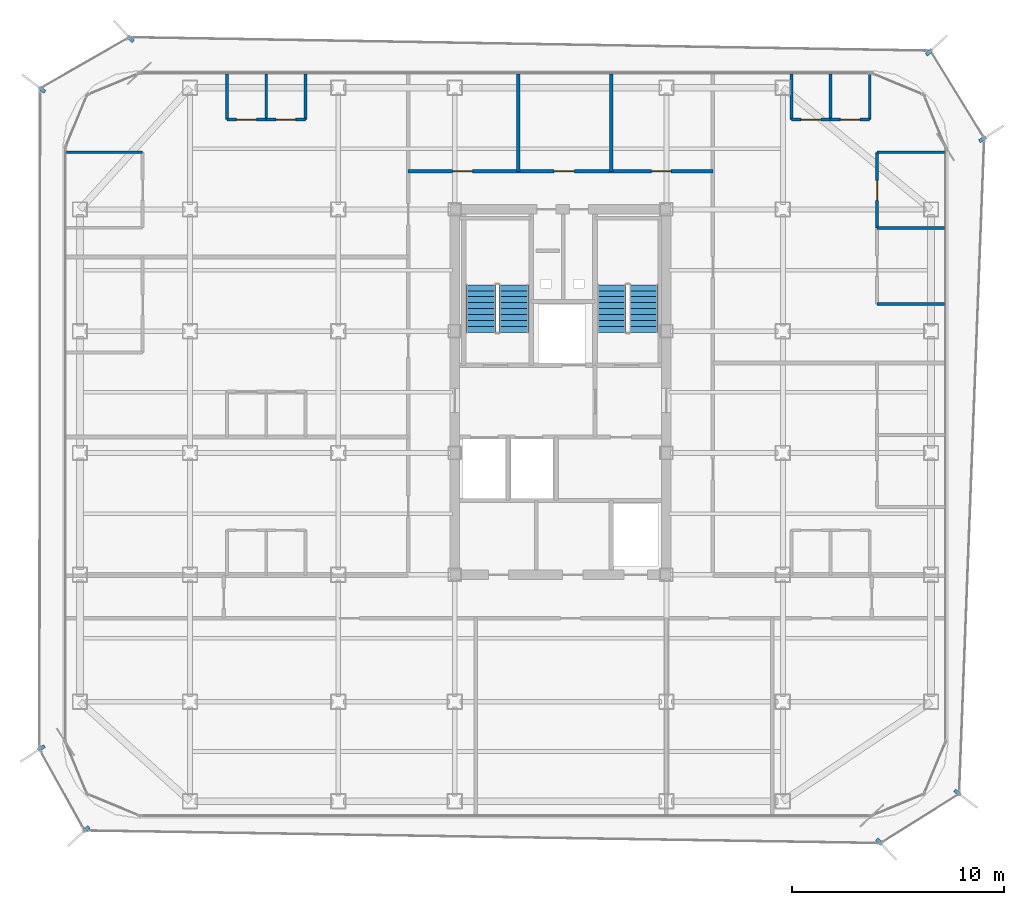
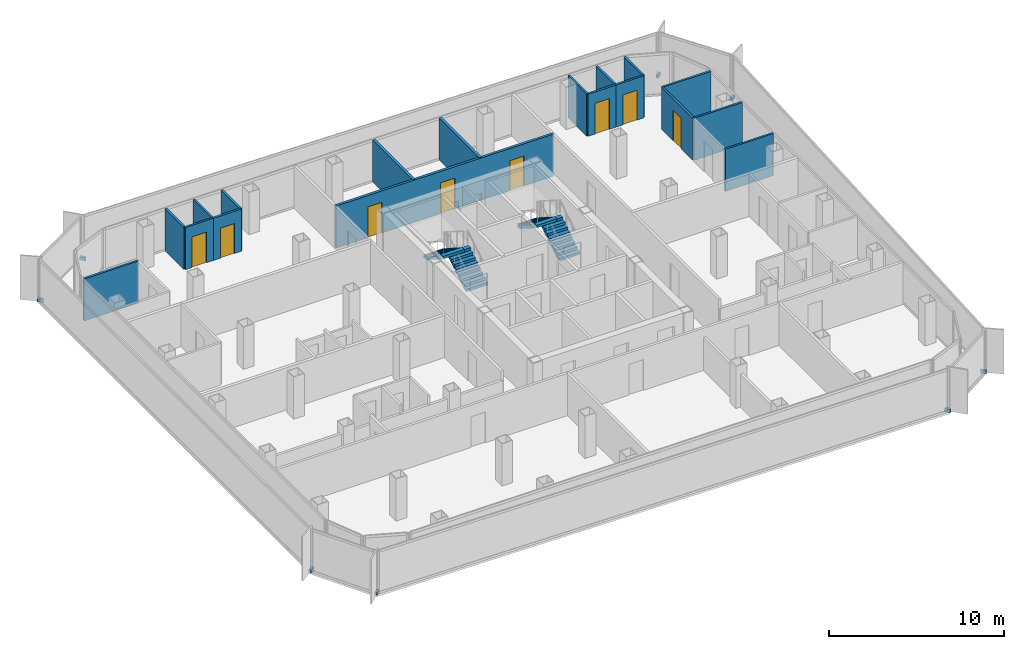
# One storey, part 12 of 15: 18 walls, 8 discrete accessories, 8 doors, 4 stair flights, 8 openings, 2 elements without a shape of their own.
"""IFC4 building model written with IfcOpenShell, lengths in metres."""

from ifc_helpers import new_model, si_unit, direction, frame, frame_2d, origin, origin_2d, place, context, subcontext, project, spatial, polyline, rectangle, outline, extrude, source, transform, mapped, material, layer, layer_set, type_object, element, fill, aggregate, save


model = new_model("IFC4")

# Units and contexts
model_context = context("Model", 3, precision=1e-05, world=origin(), true_north=direction((0.0, 1.0)))
body_context = subcontext(model_context, "Body", "Model", "MODEL_VIEW")
ifc_project = project(units=[si_unit("LENGTHUNIT", "METRE"), si_unit("AREAUNIT", "SQUARE_METRE"), si_unit("VOLUMEUNIT", "CUBIC_METRE"), si_unit("PLANEANGLEUNIT", "RADIAN"), si_unit("MASSUNIT", "GRAM", prefix="KILO")], contexts=[model_context])

# Site, building, storey
site_placement = place(None, origin())
site = spatial("IfcSite", under=ifc_project, at=site_placement, CompositionType="ELEMENT")
building_placement = place(site_placement, origin())
building = spatial("IfcBuilding", under=site, at=building_placement, Name="Kolveth Station Tower", CompositionType="ELEMENT")
storey_placement = place(building_placement, frame((0.0, 0.0, 172.10009765625)))
storey = spatial("IfcBuildingStorey", under=building, at=storey_placement, Name="L48", CompositionType="ELEMENT", Elevation=172.10009765625)

# Wall, opening, door
ifc_material_1 = material(Name="Moisture-resistant gypsum partition")
ifc_layer_1 = layer(ifc_material_1, 0.135009765625)
ifc_layer_set_1 = layer_set([ifc_layer_1], Name="Moisture-resistant gypsum partition")
wall_type_1 = type_object("IfcWallType", Name="Wall_IW-135", PredefinedType="PARTITIONING", material=ifc_layer_set_1)
wall_1_placement = place(storey_placement, frame((7.75, 32.989990234375, 0.0), z_axis=(0.0, 0.0, 1.0), x_axis=(1.0, 0.0, 0.0)))
wall_1 = element("IfcWall", 1, at=wall_1_placement, inside=storey, type_object=wall_type_1, Name="L48 Partition Wall WL-L48-W3-IBHK", PredefinedType="PARTITIONING", context=body_context, shape_type="SweptSolid", body=[
    extrude(rectangle(XDim=1.85009765625, YDim=0.135009765625, at=frame_2d((0.925048828125, 0.0))), origin(), (0.0, 0.0, 1.0), 2.949951171875),
])
opening_1_placement = place(wall_1_placement, frame((0.445068359375, 0.0, 0.0)))
opening_1 = element("IfcOpeningElement", 2, at=opening_1_placement, cuts=wall_1, Name="Opening ID1", PredefinedType="OPENING", context=body_context, shape_type="SweptSolid", body=[
    extrude(rectangle(XDim=0.949951171875, YDim=2.14990234375, at=frame_2d((0.47509765625, 1.074951171875))), frame((0.0, 0.077392578125, 0.0), z_axis=(0.0, -1.0, 0.0), x_axis=(1.0, 0.0, 0.0)), (0.0, 0.0, 1.0), 0.155029296875),
])
ifc_material_2 = material(Name="Acoustic hardwood leaf and aluminium frame", Category="wood")
door_type_1 = type_object("IfcDoorType", Name="Door_ID1", OperationType="NOTDEFINED", PredefinedType="DOOR", material=ifc_material_2)
door_1_placement = place(opening_1_placement, frame((0.949951171875, 0.0, 0.0), z_axis=(0.0, 0.0, 1.0), x_axis=(-1.0, 0.0, 0.0)))
door_1 = element("IfcDoor", 3, at=door_1_placement, inside=storey, type_object=door_type_1, Name="Penthouse Flat L48-W3 Kitchen Door", OperationType="SINGLE_SWING_LEFT", OverallHeight=2.14990234375, OverallWidth=0.949951171875, PredefinedType="DOOR", context=body_context, shape_type="SweptSolid", body=[
    extrude(rectangle(XDim=0.949951171875, YDim=2.14990234375, at=frame_2d((0.47509765625, 1.074951171875))), frame((0.0, 0.02490234375, 0.0), z_axis=(0.0, -1.0, 0.0), x_axis=(1.0, 0.0, 0.0)), (0.0, 0.0, 1.0), 0.050048828125),
])
fill(opening_1, door_1)

wall_2_placement = place(storey_placement, frame((9.60009765625, 32.989990234375, 0.0), z_axis=(0.0, 0.0, 1.0), x_axis=(1.0, 0.0, 0.0)))
wall_2 = element("IfcWall", 4, at=wall_2_placement, inside=storey, type_object=wall_type_1, Name="L48 Partition Wall WL-L48-W3-IBHB", PredefinedType="PARTITIONING", context=body_context, shape_type="SweptSolid", body=[
    extrude(rectangle(XDim=1.849853515625, YDim=0.135009765625, at=frame_2d((0.9248046875, 0.0))), origin(), (0.0, 0.0, 1.0), 2.949951171875),
])
opening_2_placement = place(wall_2_placement, frame((0.465087890625, 0.0, 0.0)))
opening_2 = element("IfcOpeningElement", 5, at=opening_2_placement, cuts=wall_2, Name="Opening ID2", PredefinedType="OPENING", context=body_context, shape_type="SweptSolid", body=[
    extrude(rectangle(XDim=0.919921875, YDim=2.10009765625, at=frame_2d((0.4599609375, 1.050048828125))), frame((0.0, 0.077392578125, 0.0), z_axis=(0.0, -1.0, 0.0), x_axis=(1.0, 0.0, 0.0)), (0.0, 0.0, 1.0), 0.155029296875),
])
ifc_material_3 = material(Name="Moisture-resistant hardwood leaf", Category="wood")
door_type_2 = type_object("IfcDoorType", Name="Door_ID2", OperationType="NOTDEFINED", PredefinedType="DOOR", material=ifc_material_3)
door_2_placement = place(opening_2_placement, frame((0.919921875, 0.0, 0.0), z_axis=(0.0, 0.0, 1.0), x_axis=(-1.0, 0.0, 0.0)))
door_2 = element("IfcDoor", 6, at=door_2_placement, inside=storey, type_object=door_type_2, Name="Penthouse Flat L48-W3 Bathroom Door", OperationType="SINGLE_SWING_LEFT", OverallHeight=2.10009765625, OverallWidth=0.919921875, PredefinedType="DOOR", context=body_context, shape_type="SweptSolid", body=[
    extrude(rectangle(XDim=0.919921875, YDim=2.10009765625, at=frame_2d((0.4599609375, 1.050048828125))), frame((0.0, 0.02490234375, 0.0), z_axis=(0.0, -1.0, 0.0), x_axis=(1.0, 0.0, 0.0)), (0.0, 0.0, 1.0), 0.050048828125),
])
fill(opening_2, door_2)

# Walls
for number, where, z_axis, x_axis, name in (
    (7, (7.75, 32.989990234375, 0.0), (0.0, 0.0, 1.0), (0.0, 1.0, 0.0), "L48 Partition Wall WL-L48-W3-IBV0"),
    (8, (9.60009765625, 32.989990234375, 0.0), (0.0, 0.0, 1.0), (0.0, 1.0, 0.0), "L48 Partition Wall WL-L48-W3-IBV1"),
    (9, (11.449951171875, 32.989990234375, 0.0), (0.0, 0.0, 1.0), (0.0, 1.0, 0.0), "L48 Partition Wall WL-L48-W3-IBV2"),
):
    element("IfcWall", number, at=place(storey_placement, frame(where, z_axis=z_axis, x_axis=x_axis)), inside=storey, type_object=wall_type_1, Name=name, PredefinedType="PARTITIONING", context=body_context, shape_type="SweptSolid", body=[
        extrude(rectangle(XDim=2.14990234375, YDim=0.135009765625, at=frame_2d((1.074951171875, 0.0))), origin(), (0.0, 0.0, 1.0), 2.949951171875),
    ])
wall_3_placement = place(storey_placement, frame((0.159912109375, 31.449951171875, 0.0), z_axis=(0.0, 0.0, 1.0), x_axis=(1.0, 0.0, 0.0)))
element("IfcWall", 10, at=wall_3_placement, inside=storey, type_object=wall_type_1, Name="L48 Partition Wall WL-L48-W3-BDHE", PredefinedType="PARTITIONING", context=body_context, shape_type="SweptSolid", body=[
    extrude(rectangle(XDim=3.60009765625, YDim=0.135009765625, at=frame_2d((1.800048828125, 0.0))), origin(), (0.0, 0.0, 1.0), 2.949951171875),
])

# Wall, opening, door
wall_4_placement = place(storey_placement, frame((34.39990234375, 32.989990234375, 0.0), z_axis=(0.0, 0.0, 1.0), x_axis=(1.0, 0.0, 0.0)))
wall_4 = element("IfcWall", 11, at=wall_4_placement, inside=storey, type_object=wall_type_1, Name="L48 Partition Wall WL-L48-E2-IBHK", PredefinedType="PARTITIONING", context=body_context, shape_type="SweptSolid", body=[
    extrude(rectangle(XDim=1.85009765625, YDim=0.135009765625, at=frame_2d((0.925048828125, 0.0))), origin(), (0.0, 0.0, 1.0), 2.949951171875),
])
opening_3_placement = place(wall_4_placement, frame((0.445068359375, 0.0, 0.0)))
opening_3 = element("IfcOpeningElement", 12, at=opening_3_placement, cuts=wall_4, Name="Opening ID1", PredefinedType="OPENING", context=body_context, shape_type="SweptSolid", body=[
    extrude(rectangle(XDim=0.949951171875, YDim=2.14990234375, at=frame_2d((0.47509765625, 1.074951171875))), frame((0.0, 0.077392578125, 0.0), z_axis=(0.0, -1.0, 0.0), x_axis=(1.0, 0.0, 0.0)), (0.0, 0.0, 1.0), 0.155029296875),
])
door_3_placement = place(opening_3_placement, frame((0.949951171875, 0.0, 0.0), z_axis=(0.0, 0.0, 1.0), x_axis=(-1.0, 0.0, 0.0)))
door_3 = element("IfcDoor", 13, at=door_3_placement, inside=storey, type_object=door_type_1, Name="Penthouse Flat L48-E2 Kitchen Door", OperationType="SINGLE_SWING_LEFT", OverallHeight=2.14990234375, OverallWidth=0.949951171875, PredefinedType="DOOR", context=body_context, shape_type="SweptSolid", body=[
    extrude(rectangle(XDim=0.949951171875, YDim=2.14990234375, at=frame_2d((0.47509765625, 1.074951171875))), frame((0.0, 0.02490234375, 0.0), z_axis=(0.0, -1.0, 0.0), x_axis=(1.0, 0.0, 0.0)), (0.0, 0.0, 1.0), 0.050048828125),
])
fill(opening_3, door_3)

wall_5_placement = place(storey_placement, frame((36.25, 32.989990234375, 0.0), z_axis=(0.0, 0.0, 1.0), x_axis=(1.0, 0.0, 0.0)))
wall_5 = element("IfcWall", 14, at=wall_5_placement, inside=storey, type_object=wall_type_1, Name="L48 Partition Wall WL-L48-E2-IBHB", PredefinedType="PARTITIONING", context=body_context, shape_type="SweptSolid", body=[
    extrude(rectangle(XDim=1.85009765625, YDim=0.135009765625, at=frame_2d((0.925048828125, 0.0))), origin(), (0.0, 0.0, 1.0), 2.949951171875),
])
opening_4_placement = place(wall_5_placement, frame((0.465087890625, 0.0, 0.0)))
opening_4 = element("IfcOpeningElement", 15, at=opening_4_placement, cuts=wall_5, Name="Opening ID2", PredefinedType="OPENING", context=body_context, shape_type="SweptSolid", body=[
    extrude(rectangle(XDim=0.919921875, YDim=2.10009765625, at=frame_2d((0.4599609375, 1.050048828125))), frame((0.0, 0.077392578125, 0.0), z_axis=(0.0, -1.0, 0.0), x_axis=(1.0, 0.0, 0.0)), (0.0, 0.0, 1.0), 0.155029296875),
])
door_4_placement = place(opening_4_placement, frame((0.919921875, 0.0, 0.0), z_axis=(0.0, 0.0, 1.0), x_axis=(-1.0, 0.0, 0.0)))
door_4 = element("IfcDoor", 16, at=door_4_placement, inside=storey, type_object=door_type_2, Name="Penthouse Flat L48-E2 Bathroom Door", OperationType="SINGLE_SWING_LEFT", OverallHeight=2.10009765625, OverallWidth=0.919921875, PredefinedType="DOOR", context=body_context, shape_type="SweptSolid", body=[
    extrude(rectangle(XDim=0.919921875, YDim=2.10009765625, at=frame_2d((0.4599609375, 1.050048828125))), frame((0.0, 0.02490234375, 0.0), z_axis=(0.0, -1.0, 0.0), x_axis=(1.0, 0.0, 0.0)), (0.0, 0.0, 1.0), 0.050048828125),
])
fill(opening_4, door_4)

# Walls
for number, where, z_axis, x_axis, name in (
    (17, (34.39990234375, 32.989990234375, 0.0), (0.0, 0.0, 1.0), (0.0, 1.0, 0.0), "L48 Partition Wall WL-L48-E2-IBV0"),
    (18, (36.25, 32.989990234375, 0.0), (0.0, 0.0, 1.0), (0.0, 1.0, 0.0), "L48 Partition Wall WL-L48-E2-IBV1"),
    (19, (38.10009765625, 32.989990234375, 0.0), (0.0, 0.0, 1.0), (0.0, 1.0, 0.0), "L48 Partition Wall WL-L48-E2-IBV2"),
):
    element("IfcWall", number, at=place(storey_placement, frame(where, z_axis=z_axis, x_axis=x_axis)), inside=storey, type_object=wall_type_1, Name=name, PredefinedType="PARTITIONING", context=body_context, shape_type="SweptSolid", body=[
        extrude(rectangle(XDim=2.14990234375, YDim=0.135009765625, at=frame_2d((1.074951171875, 0.0))), origin(), (0.0, 0.0, 1.0), 2.949951171875),
    ])
for number, where, z_axis, x_axis, name in (
    (20, (38.449951171875, 24.285888671875, 0.0), (0.0, 0.0, 1.0), (1.0, 0.0, 0.0), "L48 Partition Wall WL-L48-E2-BDH0"),
    (21, (38.449951171875, 31.449951171875, 0.0), (0.0, 0.0, 1.0), (1.0, 0.0, 0.0), "L48 Partition Wall WL-L48-E2-BDHE"),
):
    element("IfcWall", number, at=place(storey_placement, frame(where, z_axis=z_axis, x_axis=x_axis)), inside=storey, type_object=wall_type_1, Name=name, PredefinedType="PARTITIONING", context=body_context, shape_type="SweptSolid", body=[
        extrude(rectangle(XDim=3.18994140625, YDim=0.135009765625, at=frame_2d((1.594970703125, 0.0))), origin(), (0.0, 0.0, 1.0), 2.949951171875),
    ])

# Wall, opening, door
wall_6_placement = place(storey_placement, frame((38.449951171875, 27.867919921875, 0.0), z_axis=(0.0, 0.0, 1.0), x_axis=(0.0, 1.0, 0.0)))
wall_6 = element("IfcWall", 22, at=wall_6_placement, inside=storey, type_object=wall_type_1, Name="L48 Partition Wall WL-L48-E2-BDV2", PredefinedType="PARTITIONING", context=body_context, shape_type="SweptSolid", body=[
    extrude(rectangle(XDim=3.58203125, YDim=0.135009765625, at=frame_2d((1.791015625, 0.0))), origin(), (0.0, 0.0, 1.0), 2.949951171875),
])
opening_5_placement = place(wall_6_placement, frame((1.31103515625, 0.0, 0.0)))
opening_5 = element("IfcOpeningElement", 23, at=opening_5_placement, cuts=wall_6, Name="Opening ID1", PredefinedType="OPENING", context=body_context, shape_type="SweptSolid", body=[
    extrude(rectangle(XDim=0.949951171875, YDim=2.14990234375, at=frame_2d((0.47509765625, 1.074951171875))), frame((0.0, 0.077392578125, 0.0), z_axis=(0.0, -1.0, 0.0), x_axis=(1.0, 0.0, 0.0)), (0.0, 0.0, 1.0), 0.155029296875),
])
door_5_placement = place(opening_5_placement, frame((0.949951171875, 0.0, 0.0), z_axis=(0.0, 0.0, 1.0), x_axis=(-1.0, 0.0, 0.0)))
door_5 = element("IfcDoor", 24, at=door_5_placement, inside=storey, type_object=door_type_1, Name="Penthouse Flat L48-E2 Bedroom 2 Door", OperationType="SINGLE_SWING_RIGHT", OverallHeight=2.14990234375, OverallWidth=0.949951171875, PredefinedType="DOOR", context=body_context, shape_type="SweptSolid", body=[
    extrude(rectangle(XDim=0.949951171875, YDim=2.14990234375, at=frame_2d((0.47509765625, 1.074951171875))), frame((0.0, 0.02490234375, 0.0), z_axis=(0.0, -1.0, 0.0), x_axis=(1.0, 0.0, 0.0)), (0.0, 0.0, 1.0), 0.050048828125),
])
fill(opening_5, door_5)

# Wall
wall_7_placement = place(storey_placement, frame((38.449951171875, 27.867919921875, 0.0), z_axis=(0.0, 0.0, 1.0), x_axis=(1.0, 0.0, 0.0)))
element("IfcWall", 25, at=wall_7_placement, inside=storey, type_object=wall_type_1, Name="L48 Partition Wall WL-L48-E2-BDH1", PredefinedType="PARTITIONING", context=body_context, shape_type="SweptSolid", body=[
    extrude(rectangle(XDim=3.18994140625, YDim=0.135009765625, at=frame_2d((1.594970703125, 0.0))), origin(), (0.0, 0.0, 1.0), 2.949951171875),
])

# Wall, openings, doors
ifc_material_4 = material(Name="Acoustic double-stud gypsum partition")
ifc_layer_2 = layer(ifc_material_4, 0.1650390625)
ifc_layer_set_2 = layer_set([ifc_layer_2], Name="Acoustic double-stud gypsum partition")
wall_type_2 = type_object("IfcWallType", Name="Wall_IW-165", PredefinedType="PARTITIONING", material=ifc_layer_set_2)
wall_8_placement = place(storey_placement, frame((16.300048828125, 30.550048828125, 0.0), z_axis=(0.0, 0.0, 1.0), x_axis=(1.0, 0.0, 0.0)))
wall_8 = element("IfcWall", 26, at=wall_8_placement, inside=storey, type_object=wall_type_2, Name="L48 Partition Wall WL-L48-RN", PredefinedType="PARTITIONING", context=body_context, shape_type="SweptSolid", body=[
    extrude(rectangle(XDim=14.39990234375, YDim=0.1650390625, at=frame_2d((7.199951171875, 0.0))), origin(), (0.0, 0.0, 1.0), 2.949951171875),
])
opening_6_placement = place(wall_8_placement, frame((2.10009765625, 0.0, 0.0)))
opening_6 = element("IfcOpeningElement", 27, at=opening_6_placement, cuts=wall_8, Name="Opening ID1", PredefinedType="OPENING", context=body_context, shape_type="SweptSolid", body=[
    extrude(rectangle(XDim=0.949951171875, YDim=2.14990234375, at=frame_2d((0.47509765625, 1.074951171875))), frame((0.0, 0.092529296875, 0.0), z_axis=(0.0, -1.0, 0.0), x_axis=(1.0, 0.0, 0.0)), (0.0, 0.0, 1.0), 0.18505859375),
])
opening_7_placement = place(wall_8_placement, frame((6.89990234375, 0.0, 0.0)))
opening_7 = element("IfcOpeningElement", 28, at=opening_7_placement, cuts=wall_8, Name="Opening ID1", PredefinedType="OPENING", context=body_context, shape_type="SweptSolid", body=[
    extrude(rectangle(XDim=0.949951171875, YDim=2.14990234375, at=frame_2d((0.47509765625, 1.074951171875))), frame((0.0, 0.092529296875, 0.0), z_axis=(0.0, -1.0, 0.0), x_axis=(1.0, 0.0, 0.0)), (0.0, 0.0, 1.0), 0.18505859375),
])
opening_8_placement = place(wall_8_placement, frame((11.5, 0.0, 0.0)))
opening_8 = element("IfcOpeningElement", 29, at=opening_8_placement, cuts=wall_8, Name="Opening ID2", PredefinedType="OPENING", context=body_context, shape_type="SweptSolid", body=[
    extrude(rectangle(XDim=0.919921875, YDim=2.10009765625, at=frame_2d((0.4599609375, 1.050048828125))), frame((0.0, 0.092529296875, 0.0), z_axis=(0.0, -1.0, 0.0), x_axis=(1.0, 0.0, 0.0)), (0.0, 0.0, 1.0), 0.18505859375),
])
door_6_placement = place(opening_6_placement, origin())
door_6 = element("IfcDoor", 30, at=door_6_placement, inside=storey, type_object=door_type_1, Name="L48 Quiet Study 1 Door", OperationType="SINGLE_SWING_RIGHT", OverallHeight=2.14990234375, OverallWidth=0.949951171875, PredefinedType="DOOR", context=body_context, shape_type="SweptSolid", body=[
    extrude(rectangle(XDim=0.949951171875, YDim=2.14990234375, at=frame_2d((0.47509765625, 1.074951171875))), frame((0.0, 0.02490234375, 0.0), z_axis=(0.0, -1.0, 0.0), x_axis=(1.0, 0.0, 0.0)), (0.0, 0.0, 1.0), 0.050048828125),
])
fill(opening_6, door_6)
door_7_placement = place(opening_7_placement, origin())
door_7 = element("IfcDoor", 31, at=door_7_placement, inside=storey, type_object=door_type_1, Name="L48 Quiet Study 2 Door", OperationType="SINGLE_SWING_LEFT", OverallHeight=2.14990234375, OverallWidth=0.949951171875, PredefinedType="DOOR", context=body_context, shape_type="SweptSolid", body=[
    extrude(rectangle(XDim=0.949951171875, YDim=2.14990234375, at=frame_2d((0.47509765625, 1.074951171875))), frame((0.0, 0.02490234375, 0.0), z_axis=(0.0, -1.0, 0.0), x_axis=(1.0, 0.0, 0.0)), (0.0, 0.0, 1.0), 0.050048828125),
])
fill(opening_7, door_7)
door_8_placement = place(opening_8_placement, origin())
door_8 = element("IfcDoor", 32, at=door_8_placement, inside=storey, type_object=door_type_2, Name="L48 Accessible Residents' WC Door", OperationType="SINGLE_SWING_RIGHT", OverallHeight=2.10009765625, OverallWidth=0.919921875, PredefinedType="DOOR", context=body_context, shape_type="SweptSolid", body=[
    extrude(rectangle(XDim=0.919921875, YDim=2.10009765625, at=frame_2d((0.4599609375, 1.050048828125))), frame((0.0, 0.02490234375, 0.0), z_axis=(0.0, -1.0, 0.0), x_axis=(1.0, 0.0, 0.0)), (0.0, 0.0, 1.0), 0.050048828125),
])
fill(opening_8, door_8)

# Walls
for number, where, z_axis, x_axis, name in (
    (33, (21.5, 30.550048828125, 0.0), (0.0, 0.0, 1.0), (0.0, 1.0, 0.0), "L48 Partition Wall WL-L48-RN-P1"),
    (34, (25.89990234375, 30.550048828125, 0.0), (0.0, 0.0, 1.0), (0.0, 1.0, 0.0), "L48 Partition Wall WL-L48-RN-P2"),
):
    element("IfcWall", number, at=place(storey_placement, frame(where, z_axis=z_axis, x_axis=x_axis)), inside=storey, type_object=wall_type_2, Name=name, PredefinedType="PARTITIONING", context=body_context, shape_type="SweptSolid", body=[
        extrude(rectangle(XDim=4.58984375, YDim=0.1650390625, at=frame_2d((2.294921875, 0.0))), origin(), (0.0, 0.0, 1.0), 2.949951171875),
    ])

# Stair, stair flights
ifc_material_5 = material(Name="Concrete C40/50", Category="concrete")
stair_type_1 = type_object("IfcStairType", Name="Stair_ST1", PredefinedType="HALF_TURN_STAIR", material=ifc_material_5)
stair_1_placement = place(storey_placement, origin())
stair_1 = element("IfcStair", 35, at=stair_1_placement, inside=storey, type_object=stair_type_1, Name="L48 Tower Exit Stair ST1", PredefinedType="HALF_TURN_STAIR")
ifc_layer_3 = layer(ifc_material_5, 0.179931640625)
ifc_layer_set_3 = layer_set([ifc_layer_3], Name="Concrete C40/50")
stair_flight_type_1 = type_object("IfcStairFlightType", Name="Flight_ST1", PredefinedType="STRAIGHT", material=ifc_layer_set_3)
stair_flight_1_placement = place(storey_placement, frame((21.300048828125, 22.949951171875, 0.0), z_axis=(0.0, 0.0, 1.0), x_axis=(0.0, 1.0, 0.0)))
stair_flight_1 = element("IfcStairFlight", 36, at=stair_flight_1_placement, type_object=stair_flight_type_1, Name="ST1 flight 1", NumberOfRisers=9, NumberOfTreads=8, PredefinedType="STRAIGHT", RiserHeight=0.177777778, TreadLength=0.28, context=body_context, shape_type="SweptSolid", body=[
    extrude(outline(polyline([(0.0, 0.0), (0.0, 0.177734375), (0.280029296875, 0.177734375), (0.280029296875, 0.35546875), (0.56005859375, 0.35546875), (0.56005859375, 0.533447265625), (0.840087890625, 0.533447265625), (0.840087890625, 0.711181640625), (1.1201171875, 0.711181640625), (1.1201171875, 0.888916015625), (1.39990234375, 0.888916015625), (1.39990234375, 1.066650390625), (1.679931640625, 1.066650390625), (1.679931640625, 1.244384765625), (1.9599609375, 1.244384765625), (1.9599609375, 1.422119140625), (2.239990234375, 1.422119140625), (2.239990234375, 1.60009765625), (2.239990234375, 1.24462890625), (0.27978515625, 0.0), (0.0, 0.0)])), frame((0.0, 0.699951171875, 0.0), z_axis=(0.0, -1.0, 0.0), x_axis=(1.0, 0.0, 0.0)), (0.0, 0.0, 1.0), 1.39990234375),
])
stair_flight_2_placement = place(storey_placement, frame((19.739990234375, 25.18994140625, 1.599853515625), z_axis=(0.0, 0.0, 1.0), x_axis=(0.0, -1.0, 0.0)))
stair_flight_2 = element("IfcStairFlight", 37, at=stair_flight_2_placement, type_object=stair_flight_type_1, Name="ST1 flight 2", NumberOfRisers=9, NumberOfTreads=8, PredefinedType="STRAIGHT", RiserHeight=0.177777778, TreadLength=0.28, context=body_context, shape_type="SweptSolid", body=[
    extrude(outline(polyline([(0.0, 0.0), (0.0, 0.177734375), (0.280029296875, 0.177734375), (0.280029296875, 0.35546875), (0.56005859375, 0.35546875), (0.56005859375, 0.533447265625), (0.840087890625, 0.533447265625), (0.840087890625, 0.711181640625), (1.1201171875, 0.711181640625), (1.1201171875, 0.888916015625), (1.39990234375, 0.888916015625), (1.39990234375, 1.066650390625), (1.679931640625, 1.066650390625), (1.679931640625, 1.244384765625), (1.9599609375, 1.244384765625), (1.9599609375, 1.422119140625), (2.239990234375, 1.422119140625), (2.239990234375, 1.60009765625), (2.239990234375, 1.24462890625), (0.27978515625, 0.0), (0.0, 0.0)])), frame((0.0, 0.699951171875, 0.0), z_axis=(0.0, -1.0, 0.0), x_axis=(1.0, 0.0, 0.0)), (0.0, 0.0, 1.0), 1.39990234375),
])
aggregate(stair_1, [stair_flight_1, stair_flight_2])

stair_type_2 = type_object("IfcStairType", Name="Stair_ST2", PredefinedType="HALF_TURN_STAIR", material=ifc_material_5)
stair_2_placement = place(storey_placement, origin())
stair_2 = element("IfcStair", 38, at=stair_2_placement, inside=storey, type_object=stair_type_2, Name="L48 Tower Exit Stair ST2", PredefinedType="HALF_TURN_STAIR")
ifc_layer_4 = layer(ifc_material_5, 0.179931640625)
ifc_layer_set_4 = layer_set([ifc_layer_4], Name="Concrete C40/50")
stair_flight_type_2 = type_object("IfcStairFlightType", Name="Flight_ST2", PredefinedType="STRAIGHT", material=ifc_layer_set_4)
stair_flight_3_placement = place(storey_placement, frame((27.425048828125, 22.949951171875, 0.0), z_axis=(0.0, 0.0, 1.0), x_axis=(0.0, 1.0, 0.0)))
stair_flight_3 = element("IfcStairFlight", 39, at=stair_flight_3_placement, type_object=stair_flight_type_2, Name="ST2 flight 1", NumberOfRisers=9, NumberOfTreads=8, PredefinedType="STRAIGHT", RiserHeight=0.177777778, TreadLength=0.28, context=body_context, shape_type="SweptSolid", body=[
    extrude(outline(polyline([(0.0, 0.0), (0.0, 0.177734375), (0.280029296875, 0.177734375), (0.280029296875, 0.35546875), (0.56005859375, 0.35546875), (0.56005859375, 0.533447265625), (0.840087890625, 0.533447265625), (0.840087890625, 0.711181640625), (1.1201171875, 0.711181640625), (1.1201171875, 0.888916015625), (1.39990234375, 0.888916015625), (1.39990234375, 1.066650390625), (1.679931640625, 1.066650390625), (1.679931640625, 1.244384765625), (1.9599609375, 1.244384765625), (1.9599609375, 1.422119140625), (2.239990234375, 1.422119140625), (2.239990234375, 1.60009765625), (2.239990234375, 1.24462890625), (0.27978515625, 0.0), (0.0, 0.0)])), frame((0.0, 0.675048828125, 0.0), z_axis=(0.0, -1.0, 0.0), x_axis=(1.0, 0.0, 0.0)), (0.0, 0.0, 1.0), 1.35009765625),
])
stair_flight_4_placement = place(storey_placement, frame((25.9150390625, 25.18994140625, 1.599853515625), z_axis=(0.0, 0.0, 1.0), x_axis=(0.0, -1.0, 0.0)))
stair_flight_4 = element("IfcStairFlight", 40, at=stair_flight_4_placement, type_object=stair_flight_type_2, Name="ST2 flight 2", NumberOfRisers=9, NumberOfTreads=8, PredefinedType="STRAIGHT", RiserHeight=0.177777778, TreadLength=0.28, context=body_context, shape_type="SweptSolid", body=[
    extrude(outline(polyline([(0.0, 0.0), (0.0, 0.177734375), (0.280029296875, 0.177734375), (0.280029296875, 0.35546875), (0.56005859375, 0.35546875), (0.56005859375, 0.533447265625), (0.840087890625, 0.533447265625), (0.840087890625, 0.711181640625), (1.1201171875, 0.711181640625), (1.1201171875, 0.888916015625), (1.39990234375, 0.888916015625), (1.39990234375, 1.066650390625), (1.679931640625, 1.066650390625), (1.679931640625, 1.244384765625), (1.9599609375, 1.244384765625), (1.9599609375, 1.422119140625), (2.239990234375, 1.422119140625), (2.239990234375, 1.60009765625), (2.239990234375, 1.24462890625), (0.27978515625, 0.0), (0.0, 0.0)])), frame((0.0, 0.675048828125, 0.0), z_axis=(0.0, -1.0, 0.0), x_axis=(1.0, 0.0, 0.0)), (0.0, 0.0, 1.0), 1.35009765625),
])
aggregate(stair_2, [stair_flight_3, stair_flight_4])

# Discrete accessories
ifc_material_6 = material(Name="Steel S355", Category="steel")
discrete_accessory_type = type_object("IfcDiscreteAccessoryType", Name="Bracket_BK1", PredefinedType="BRACKET", material=ifc_material_6)
shared_shape = source(origin(), body_context, "Body", "SweptSolid", [
    extrude(rectangle(XDim=0.35009765625, YDim=0.159912109375, at=origin_2d()), origin(), (0.0, 0.0, 1.0), 0.219970703125),
])
for number, where, z_axis, x_axis, name in (
    (41, (38.552001953125, -1.10693359375, -0.06005859375), (0.0, 0.0, 1.0), (0.685310104606, -0.728251371798, 0.0), "L48 Double-Skin Radial Tie Bracket 1"),
    (42, (42.248046875, 1.208984375, -0.06005859375), (0.0, 0.0, 1.0), (0.792289643355, -0.610145163901, 0.0), "L48 Double-Skin Radial Tie Bracket 2"),
    (43, (43.429931640625, 32.06396484375, -0.06005859375), (0.0, 0.0, 1.0), (0.842358350935, 0.538917812481, 0.0), "L48 Double-Skin Radial Tie Bracket 3"),
    (44, (40.902099609375, 36.173095703125, -0.06005859375), (0.0, 0.0, 1.0), (0.733729864503, 0.679441304262, 0.0), "L48 Double-Skin Radial Tie Bracket 4"),
    (45, (3.197998046875, 36.803955078125, -0.06005859375), (0.0, 0.0, 1.0), (-0.678672571739, 0.73444097133, 0.0), "L48 Double-Skin Radial Tie Bracket 5"),
    (46, (-0.992919921875, 34.404052734375, -0.06005859375), (0.0, 0.0, 1.0), (-0.794096490407, 0.607791710969, 0.0), "L48 Double-Skin Radial Tie Bracket 6"),
    (47, (-1.02099609375, 3.31298828125, -0.06005859375), (0.0, 0.0, 1.0), (-0.836859868525, -0.54741717223, 0.0), "L48 Double-Skin Radial Tie Bracket 7"),
    (48, (1.10107421875, -0.51904296875, -0.06005859375), (0.0, 0.0, 1.0), (-0.736805506238, -0.676104759618, 0.0), "L48 Double-Skin Radial Tie Bracket 8"),
):
    element("IfcDiscreteAccessory", number, at=place(storey_placement, frame(where, z_axis=z_axis, x_axis=x_axis)), inside=storey, type_object=discrete_accessory_type, Name=name, PredefinedType="BRACKET", context=body_context, shape_type="MappedRepresentation", body=[
        mapped(shared_shape, transform((0.0, 0.0, 0.0), x_axis=(1.0, 0.0, 0.0), y_axis=(0.0, 1.0, 0.0), z_axis=(0.0, 0.0, 1.0), scale=1.0)),
    ])

save(model, "model.ifc")
